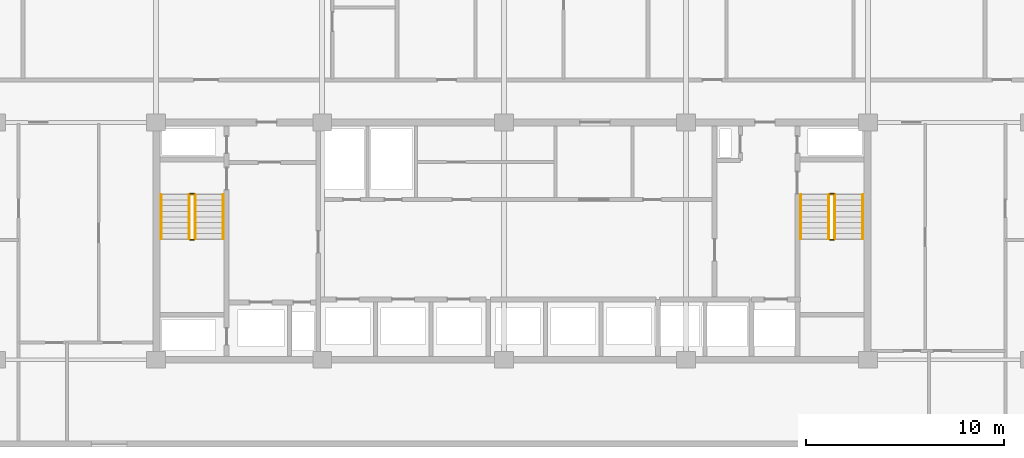
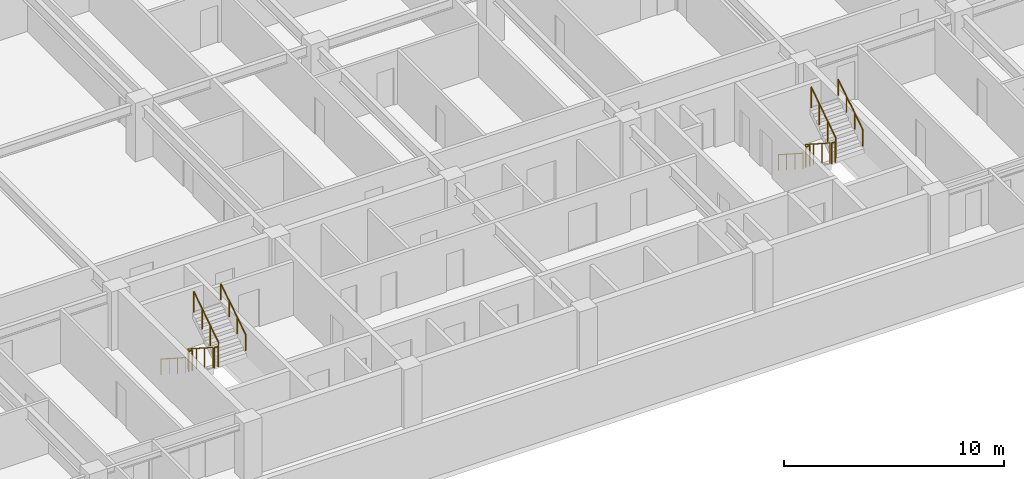
# One storey, part 21 of 22: 12 railings.
"""IFC4 building model written with IfcOpenShell, lengths in metres."""

import ifcopenshell
import ifcopenshell.guid

model = None  # the IFC model being written
_history = None  # IfcOwnerHistory: only IFC2X3 demands one
_inside = {}  # id of a spatial element -> (the spatial element, [elements in it])
_under = {}  # id of a project, library or spatial element -> (it, [spatial elements below it])
_declared = {}  # id of a project -> (the project, [libraries it declares])
_typed = {}  # id of a type object -> (the type object, [elements of that type])
_made_of = {}  # id of a material, layer set ... -> (it, [elements and type objects made of it])


def new_model(schema):
    """Start an empty IFC model of exactly this schema.

    Asked for "IFC4X3", IfcOpenShell would pick the latest addendum, in which some entities
    have other attributes; the version numbers below select the first issue.
    IFC2X3 requires an IfcOwnerHistory on every rooted entity: one is made here for all.
    """
    global model, _history
    if schema == "IFC4X3":
        model = ifcopenshell.file(schema_version=(4, 3, 0, 0))
    else:
        model = ifcopenshell.file(schema=schema)
    _inside.clear()
    _under.clear()
    _declared.clear()
    _typed.clear()
    _made_of.clear()
    _history = None
    if model.schema == "IFC2X3":
        org = make("IfcOrganization", Name="unknown")
        user = make(
            "IfcPersonAndOrganization",
            ThePerson=make("IfcPerson", FamilyName="unknown"),
            TheOrganization=org,
        )
        app = make(
            "IfcApplication",
            ApplicationDeveloper=org,
            Version="unknown",
            ApplicationFullName="unknown",
            ApplicationIdentifier="unknown",
        )
        _history = make(
            "IfcOwnerHistory",
            OwningUser=user,
            OwningApplication=app,
            ChangeAction="ADDED",
            CreationDate=0,
        )
    return model


def make(cls, **values):
    """One entity of the class cls with the attributes given. An attribute that is None is left unset."""
    return model.create_entity(
        cls, **{name: value for name, value in values.items() if value is not None}
    )


def rooted(cls, **values):
    """An entity with a GlobalId (a new one), such as an element, a storey or a relation."""
    return make(cls, GlobalId=ifcopenshell.guid.new(), OwnerHistory=_history, **values)


def si_unit(unit_type, name, prefix=None):
    """IfcSIUnit, for example si_unit("LENGTHUNIT", "METRE", prefix="MILLI")."""
    return make("IfcSIUnit", UnitType=unit_type, Prefix=prefix, Name=name)


def assignment(units):
    """IfcUnitAssignment: the units of a project."""
    return None if units is None else make("IfcUnitAssignment", Units=units)


def point(xyz):
    """IfcCartesianPoint."""
    return None if xyz is None else make("IfcCartesianPoint", Coordinates=xyz)


def direction(xyz):
    """IfcDirection."""
    return None if xyz is None else make("IfcDirection", DirectionRatios=xyz)


def frame(location, z_axis=None, x_axis=None):
    """IfcAxis2Placement3D, a coordinate frame: its origin and axes. An axis left out is left unset."""
    return make(
        "IfcAxis2Placement3D",
        Location=point(location),
        Axis=direction(z_axis),
        RefDirection=direction(x_axis),
    )


def frame_2d(location, x_axis=None):
    """IfcAxis2Placement2D, a coordinate frame in the plane: its origin and x axis."""
    return make(
        "IfcAxis2Placement2D", Location=point(location), RefDirection=direction(x_axis)
    )


def origin():
    """The frame at (0, 0, 0) with its axes left unset."""
    return frame((0.0, 0.0, 0.0))


def origin_2d():
    """The frame at (0, 0) in the plane with its x axis left unset."""
    return frame_2d((0.0, 0.0))


def place(relative_to, where):
    """IfcLocalPlacement: puts the frame where relative to a parent placement (None: the world)."""
    return make(
        "IfcLocalPlacement", PlacementRelTo=relative_to, RelativePlacement=where
    )


def context(
    kind, dimensions, precision=None, world=None, true_north=None, identifier=None
):
    """IfcGeometricRepresentationContext, for example the 3D "Model" context."""
    return make(
        "IfcGeometricRepresentationContext",
        ContextIdentifier=identifier,
        ContextType=kind,
        CoordinateSpaceDimension=dimensions,
        Precision=precision,
        WorldCoordinateSystem=world,
        TrueNorth=true_north,
    )


def subcontext(parent, identifier, kind, view, scale=None):
    """IfcGeometricRepresentationSubContext, for example "Body" below "Model"."""
    return make(
        "IfcGeometricRepresentationSubContext",
        ContextIdentifier=identifier,
        ContextType=kind,
        ParentContext=parent,
        TargetScale=scale,
        TargetView=view,
    )


def project(units=None, contexts=None):
    """IfcProject with its units and contexts."""
    return rooted(
        "IfcProject",
        Name="project",
        RepresentationContexts=contexts,
        UnitsInContext=assignment(units),
    )


def spatial(cls, under=None, at=None, **own):
    """A site, building, storey or space (cls), placed at a placement, below another one or the project."""
    s = rooted(cls, ObjectPlacement=at, **own)
    if under is not None:
        _under.setdefault(under.id(), (under, []))[1].append(s)
    return s


def profile(cls, at=None, kind="AREA", **sizes):
    """A parametric profile (cls). Its sizes go by their IFC names, for example OverallWidth=200.0."""
    return make(cls, ProfileType=kind, Position=at, **sizes)


def circle(**sizes):
    """IfcCircleProfileDef."""
    return profile("IfcCircleProfileDef", **sizes)


def extrude(swept, where, along, depth):
    """IfcExtrudedAreaSolid: the profile swept, set in the frame where, extruded along a direction by depth."""
    return make(
        "IfcExtrudedAreaSolid",
        SweptArea=swept,
        Position=where,
        ExtrudedDirection=direction(along),
        Depth=depth,
    )


def shape(context_of_items, identifier, shape_type, items):
    """IfcShapeRepresentation: the items that make up one representation, for example the "Body"."""
    return make(
        "IfcShapeRepresentation",
        ContextOfItems=context_of_items,
        RepresentationIdentifier=identifier,
        RepresentationType=shape_type,
        Items=items,
    )


def material(Name=None, Category=None):
    """IfcMaterial."""
    return make("IfcMaterial", Name=Name, Category=Category)


def made_of(thing, what):
    """Note that an element or type object is made of a material, layer set ...; save() writes the relation."""
    if what is not None:
        _made_of.setdefault(what.id(), (what, []))[1].append(thing)
    return thing


def type_object(cls, material=None, **own):
    """A type object (cls), such as IfcWallType, which elements share."""
    return made_of(rooted(cls, **own), material)


def element(
    cls,
    number,
    at=None,
    inside=None,
    cuts=None,
    type_object=None,
    material=None,
    context=None,
    identifier="Body",
    shape_type=None,
    held_by="IfcProductDefinitionShape",
    body=None,
    shapes=None,
    **own,
):
    """One element of the class cls, such as IfcWall. Its Tag is "e" and its number.

    at: its placement. inside: the storey or other place that contains it. cuts: it is an
    opening in that element (IfcRelVoidsElement). A single representation is given by context,
    identifier, shape_type and body (its items); several are given by shapes. held_by: the class
    of the entity that holds the representations. save() writes the other relations.
    """
    e = rooted(cls, Tag="e%d" % number, ObjectPlacement=at, **own)
    if body is not None:
        shapes = [shape(context, identifier, shape_type, body)]
    if shapes is not None:
        e.Representation = make(held_by, Representations=shapes)
    if inside is not None:
        _inside.setdefault(inside.id(), (inside, []))[1].append(e)
    if cuts is not None:
        rooted(
            "IfcRelVoidsElement", RelatingBuildingElement=cuts, RelatedOpeningElement=e
        )
    if type_object is not None:
        _typed.setdefault(type_object.id(), (type_object, []))[1].append(e)
    return made_of(e, material)


def aggregate(whole, parts):
    """IfcRelAggregates: a whole, such as a stair, and the parts it consists of."""
    return rooted("IfcRelAggregates", RelatingObject=whole, RelatedObjects=parts)


def save(model, path):
    """Write the relations noted so far, then the file.

    IfcRelAggregates (storeys below a building ...), IfcRelContainedInSpatialStructure (elements
    in a storey), IfcRelDefinesByType, IfcRelAssociatesMaterial and IfcRelDeclares: one each for
    every whole, place, type object, material and project.
    """
    for whole, parts in _under.values():
        aggregate(whole, parts)
    for where, things in _inside.values():
        rooted(
            "IfcRelContainedInSpatialStructure",
            RelatedElements=things,
            RelatingStructure=where,
        )
    for kind, things in _typed.values():
        rooted("IfcRelDefinesByType", RelatedObjects=things, RelatingType=kind)
    for what, things in _made_of.values():
        rooted("IfcRelAssociatesMaterial", RelatedObjects=things, RelatingMaterial=what)
    for by, libraries in _declared.values():
        rooted("IfcRelDeclares", RelatingContext=by, RelatedDefinitions=libraries)
    model.write(path)


model = new_model("IFC4")

# Units and contexts
model_context = context("Model", 3, precision=1e-05, world=origin(), true_north=direction((0.0, 1.0)))
body_context = subcontext(model_context, "Body", "Model", "MODEL_VIEW")
ifc_project = project(units=[si_unit("LENGTHUNIT", "METRE"), si_unit("AREAUNIT", "SQUARE_METRE"), si_unit("VOLUMEUNIT", "CUBIC_METRE"), si_unit("PLANEANGLEUNIT", "RADIAN"), si_unit("MASSUNIT", "GRAM", prefix="KILO")], contexts=[model_context])

# Site, building, storey
site_placement = place(None, origin())
site = spatial("IfcSite", under=ifc_project, at=site_placement, CompositionType="ELEMENT")
building_placement = place(site_placement, origin())
building = spatial("IfcBuilding", under=site, at=building_placement, Name="Korimba Cascade Residences", CompositionType="ELEMENT")
storey_placement = place(building_placement, frame((0.0, 0.0, 84.050048828125)))
storey = spatial("IfcBuildingStorey", under=building, at=storey_placement, Name="L23", CompositionType="ELEMENT", Elevation=84.050048828125)

# Railings
ifc_material_1 = material(Name="Painted Steel Stairwell Guardrail", Category="steel")
railing_type_1 = type_object("IfcRailingType", Name="RLG-ST-GD1150", PredefinedType="GUARDRAIL", material=ifc_material_1)
railing_1_placement = place(storey_placement, frame((77.77001953125, 63.550048828125, 0.180419921875)))
element("IfcRailing", 1, at=railing_1_placement, inside=storey, type_object=railing_type_1, Name="L23 ST-W1 stair guard 1", PredefinedType="GUARDRAIL", context=body_context, shape_type="SweptSolid", body=[
    extrude(circle(Radius=0.02392578125, at=origin_2d()), frame((0.0, 0.0, 1.1259765625), z_axis=(0.0, -0.840394893359, 0.541974559565), x_axis=(1.0, 0.0, 0.0)), (0.0, 0.0, 1.0), 2.665283203125),
    extrude(circle(Radius=0.02099609375, at=origin_2d()), origin(), (0.0, 0.0, 1.0), 1.101806640625),
    extrude(circle(Radius=0.02099609375, at=origin_2d()), frame((0.0, -0.74658203125, 0.4814453125)), (0.0, 0.0, 1.0), 1.101806640625),
    extrude(circle(Radius=0.02099609375, at=origin_2d()), frame((0.0, -1.493408203125, 0.963134765625)), (0.0, 0.0, 1.0), 1.101806640625),
    extrude(circle(Radius=0.02099609375, at=origin_2d()), frame((0.0, -2.239990234375, 1.444580078125)), (0.0, 0.0, 1.0), 1.101806640625),
])
railing_2_placement = place(storey_placement, frame((77.820068359375, 61.260009765625, 1.625)))
element("IfcRailing", 2, at=railing_2_placement, inside=storey, type_object=railing_type_1, Name="L23 ST-W1 stair guard 2", PredefinedType="GUARDRAIL", context=body_context, shape_type="SweptSolid", body=[
    extrude(circle(Radius=0.02392578125, at=origin_2d()), frame((0.0, 0.0, 1.1259765625), z_axis=(1.0, 0.0, 0.0), x_axis=(0.0, 1.0, 0.0)), (0.0, 0.0, 1.0), 0.199951171875),
    extrude(circle(Radius=0.02099609375, at=origin_2d()), origin(), (0.0, 0.0, 1.0), 1.101806640625),
    extrude(circle(Radius=0.02099609375, at=origin_2d()), frame((0.199951171875, 0.0, 0.0)), (0.0, 0.0, 1.0), 1.101806640625),
])
railing_3_placement = place(storey_placement, frame((78.070068359375, 61.31005859375, 1.805419921875)))
element("IfcRailing", 3, at=railing_3_placement, inside=storey, type_object=railing_type_1, Name="L23 ST-W1 stair guard 3", PredefinedType="GUARDRAIL", context=body_context, shape_type="SweptSolid", body=[
    extrude(circle(Radius=0.02392578125, at=origin_2d()), frame((0.0, 0.0, 1.1259765625), z_axis=(0.0, 0.840394893359, 0.541974559565), x_axis=(-1.0, 0.0, 0.0)), (0.0, 0.0, 1.0), 2.665283203125),
    extrude(circle(Radius=0.02099609375, at=origin_2d()), origin(), (0.0, 0.0, 1.0), 1.101806640625),
    extrude(circle(Radius=0.02099609375, at=origin_2d()), frame((0.0, 0.74658203125, 0.4814453125)), (0.0, 0.0, 1.0), 1.101806640625),
    extrude(circle(Radius=0.02099609375, at=origin_2d()), frame((0.0, 1.493408203125, 0.963134765625)), (0.0, 0.0, 1.0), 1.101806640625),
    extrude(circle(Radius=0.02099609375, at=origin_2d()), frame((0.0, 2.239990234375, 1.444580078125)), (0.0, 0.0, 1.0), 1.101806640625),
])
railing_4_placement = place(storey_placement, frame((77.820068359375, 63.60009765625, 0.0)))
element("IfcRailing", 4, at=railing_4_placement, inside=storey, type_object=railing_type_1, Name="L23 ST-W1 stair guard 4", PredefinedType="GUARDRAIL", context=body_context, shape_type="SweptSolid", body=[
    extrude(circle(Radius=0.02392578125, at=origin_2d()), frame((0.0, 0.0, 1.1259765625), z_axis=(1.0, 0.0, 0.0), x_axis=(0.0, 1.0, 0.0)), (0.0, 0.0, 1.0), 0.199951171875),
    extrude(circle(Radius=0.02099609375, at=origin_2d()), origin(), (0.0, 0.0, 1.0), 1.101806640625),
    extrude(circle(Radius=0.02099609375, at=origin_2d()), frame((0.199951171875, 0.0, 0.0)), (0.0, 0.0, 1.0), 1.101806640625),
])
railing_5_placement = place(storey_placement, frame((110.1298828125, 63.550048828125, 0.180419921875)))
element("IfcRailing", 5, at=railing_5_placement, inside=storey, type_object=railing_type_1, Name="L23 ST-W2 stair guard 1", PredefinedType="GUARDRAIL", context=body_context, shape_type="SweptSolid", body=[
    extrude(circle(Radius=0.02392578125, at=origin_2d()), frame((0.0, 0.0, 1.1259765625), z_axis=(0.0, -0.840394893359, 0.541974559565), x_axis=(1.0, 0.0, 0.0)), (0.0, 0.0, 1.0), 2.665283203125),
    extrude(circle(Radius=0.02099609375, at=origin_2d()), origin(), (0.0, 0.0, 1.0), 1.101806640625),
    extrude(circle(Radius=0.02099609375, at=origin_2d()), frame((0.0, -0.74658203125, 0.4814453125)), (0.0, 0.0, 1.0), 1.101806640625),
    extrude(circle(Radius=0.02099609375, at=origin_2d()), frame((0.0, -1.493408203125, 0.963134765625)), (0.0, 0.0, 1.0), 1.101806640625),
    extrude(circle(Radius=0.02099609375, at=origin_2d()), frame((0.0, -2.239990234375, 1.444580078125)), (0.0, 0.0, 1.0), 1.101806640625),
])
railing_6_placement = place(storey_placement, frame((110.179931640625, 61.260009765625, 1.625)))
element("IfcRailing", 6, at=railing_6_placement, inside=storey, type_object=railing_type_1, Name="L23 ST-W2 stair guard 2", PredefinedType="GUARDRAIL", context=body_context, shape_type="SweptSolid", body=[
    extrude(circle(Radius=0.02392578125, at=origin_2d()), frame((0.0, 0.0, 1.1259765625), z_axis=(1.0, 0.0, 0.0), x_axis=(0.0, 1.0, 0.0)), (0.0, 0.0, 1.0), 0.199951171875),
    extrude(circle(Radius=0.02099609375, at=origin_2d()), origin(), (0.0, 0.0, 1.0), 1.101806640625),
    extrude(circle(Radius=0.02099609375, at=origin_2d()), frame((0.199951171875, 0.0, 0.0)), (0.0, 0.0, 1.0), 1.101806640625),
])
railing_7_placement = place(storey_placement, frame((110.429931640625, 61.31005859375, 1.805419921875)))
element("IfcRailing", 7, at=railing_7_placement, inside=storey, type_object=railing_type_1, Name="L23 ST-W2 stair guard 3", PredefinedType="GUARDRAIL", context=body_context, shape_type="SweptSolid", body=[
    extrude(circle(Radius=0.02392578125, at=origin_2d()), frame((0.0, 0.0, 1.1259765625), z_axis=(0.0, 0.840394893359, 0.541974559565), x_axis=(-1.0, 0.0, 0.0)), (0.0, 0.0, 1.0), 2.665283203125),
    extrude(circle(Radius=0.02099609375, at=origin_2d()), origin(), (0.0, 0.0, 1.0), 1.101806640625),
    extrude(circle(Radius=0.02099609375, at=origin_2d()), frame((0.0, 0.74658203125, 0.4814453125)), (0.0, 0.0, 1.0), 1.101806640625),
    extrude(circle(Radius=0.02099609375, at=origin_2d()), frame((0.0, 1.493408203125, 0.963134765625)), (0.0, 0.0, 1.0), 1.101806640625),
    extrude(circle(Radius=0.02099609375, at=origin_2d()), frame((0.0, 2.239990234375, 1.444580078125)), (0.0, 0.0, 1.0), 1.101806640625),
])
railing_8_placement = place(storey_placement, frame((110.179931640625, 63.60009765625, 0.0)))
element("IfcRailing", 8, at=railing_8_placement, inside=storey, type_object=railing_type_1, Name="L23 ST-W2 stair guard 4", PredefinedType="GUARDRAIL", context=body_context, shape_type="SweptSolid", body=[
    extrude(circle(Radius=0.02392578125, at=origin_2d()), frame((0.0, 0.0, 1.1259765625), z_axis=(1.0, 0.0, 0.0), x_axis=(0.0, 1.0, 0.0)), (0.0, 0.0, 1.0), 0.199951171875),
    extrude(circle(Radius=0.02099609375, at=origin_2d()), origin(), (0.0, 0.0, 1.0), 1.101806640625),
    extrude(circle(Radius=0.02099609375, at=origin_2d()), frame((0.199951171875, 0.0, 0.0)), (0.0, 0.0, 1.0), 1.101806640625),
])
ifc_material_2 = material(Name="Brushed Stainless Steel Handrail", Category="steel")
railing_type_2 = type_object("IfcRailingType", Name="RLG-ST-HR900", PredefinedType="HANDRAIL", material=ifc_material_2)
railing_9_placement = place(storey_placement, frame((76.35009765625, 63.550048828125, 0.364990234375)))
element("IfcRailing", 9, at=railing_9_placement, inside=storey, type_object=railing_type_2, Name="L23 ST-W1 stair handrail 1", PredefinedType="HANDRAIL", context=body_context, shape_type="SweptSolid", body=[
    extrude(circle(Radius=0.02392578125, at=origin_2d()), frame((0.0, 0.0, 0.8759765625), z_axis=(0.0, -0.840436612492, 0.541909863706), x_axis=(1.0, 0.0, 0.0)), (0.0, 0.0, 1.0), 2.665283203125),
    extrude(circle(Radius=0.02099609375, at=origin_2d()), origin(), (0.0, 0.0, 1.0), 0.851806640625),
    extrude(circle(Radius=0.02099609375, at=origin_2d()), frame((0.0, -0.74658203125, 0.4814453125)), (0.0, 0.0, 1.0), 0.851806640625),
    extrude(circle(Radius=0.02099609375, at=origin_2d()), frame((0.0, -1.493408203125, 0.962890625)), (0.0, 0.0, 1.0), 0.851806640625),
    extrude(circle(Radius=0.02099609375, at=origin_2d()), frame((0.0, -2.239990234375, 1.4443359375)), (0.0, 0.0, 1.0), 0.851806640625),
])
railing_10_placement = place(storey_placement, frame((79.489990234375, 61.31005859375, 1.989990234375)))
element("IfcRailing", 10, at=railing_10_placement, inside=storey, type_object=railing_type_2, Name="L23 ST-W1 stair handrail 2", PredefinedType="HANDRAIL", context=body_context, shape_type="SweptSolid", body=[
    extrude(circle(Radius=0.02392578125, at=origin_2d()), frame((0.0, 0.0, 0.8759765625), z_axis=(0.0, 0.840436612492, 0.541909863706), x_axis=(-1.0, 0.0, 0.0)), (0.0, 0.0, 1.0), 2.665283203125),
    extrude(circle(Radius=0.02099609375, at=origin_2d()), origin(), (0.0, 0.0, 1.0), 0.851806640625),
    extrude(circle(Radius=0.02099609375, at=origin_2d()), frame((0.0, 0.74658203125, 0.4814453125)), (0.0, 0.0, 1.0), 0.851806640625),
    extrude(circle(Radius=0.02099609375, at=origin_2d()), frame((0.0, 1.493408203125, 0.962890625)), (0.0, 0.0, 1.0), 0.851806640625),
    extrude(circle(Radius=0.02099609375, at=origin_2d()), frame((0.0, 2.239990234375, 1.4443359375)), (0.0, 0.0, 1.0), 0.851806640625),
])
railing_11_placement = place(storey_placement, frame((108.7099609375, 63.550048828125, 0.364990234375)))
element("IfcRailing", 11, at=railing_11_placement, inside=storey, type_object=railing_type_2, Name="L23 ST-W2 stair handrail 1", PredefinedType="HANDRAIL", context=body_context, shape_type="SweptSolid", body=[
    extrude(circle(Radius=0.02392578125, at=origin_2d()), frame((0.0, 0.0, 0.8759765625), z_axis=(0.0, -0.840436612492, 0.541909863706), x_axis=(1.0, 0.0, 0.0)), (0.0, 0.0, 1.0), 2.665283203125),
    extrude(circle(Radius=0.02099609375, at=origin_2d()), origin(), (0.0, 0.0, 1.0), 0.851806640625),
    extrude(circle(Radius=0.02099609375, at=origin_2d()), frame((0.0, -0.74658203125, 0.4814453125)), (0.0, 0.0, 1.0), 0.851806640625),
    extrude(circle(Radius=0.02099609375, at=origin_2d()), frame((0.0, -1.493408203125, 0.962890625)), (0.0, 0.0, 1.0), 0.851806640625),
    extrude(circle(Radius=0.02099609375, at=origin_2d()), frame((0.0, -2.239990234375, 1.4443359375)), (0.0, 0.0, 1.0), 0.851806640625),
])
railing_12_placement = place(storey_placement, frame((111.85009765625, 61.31005859375, 1.989990234375)))
element("IfcRailing", 12, at=railing_12_placement, inside=storey, type_object=railing_type_2, Name="L23 ST-W2 stair handrail 2", PredefinedType="HANDRAIL", context=body_context, shape_type="SweptSolid", body=[
    extrude(circle(Radius=0.02392578125, at=origin_2d()), frame((0.0, 0.0, 0.8759765625), z_axis=(0.0, 0.840436612492, 0.541909863706), x_axis=(-1.0, 0.0, 0.0)), (0.0, 0.0, 1.0), 2.665283203125),
    extrude(circle(Radius=0.02099609375, at=origin_2d()), origin(), (0.0, 0.0, 1.0), 0.851806640625),
    extrude(circle(Radius=0.02099609375, at=origin_2d()), frame((0.0, 0.74658203125, 0.4814453125)), (0.0, 0.0, 1.0), 0.851806640625),
    extrude(circle(Radius=0.02099609375, at=origin_2d()), frame((0.0, 1.493408203125, 0.962890625)), (0.0, 0.0, 1.0), 0.851806640625),
    extrude(circle(Radius=0.02099609375, at=origin_2d()), frame((0.0, 2.239990234375, 1.4443359375)), (0.0, 0.0, 1.0), 0.851806640625),
])

save(model, "model.ifc")
